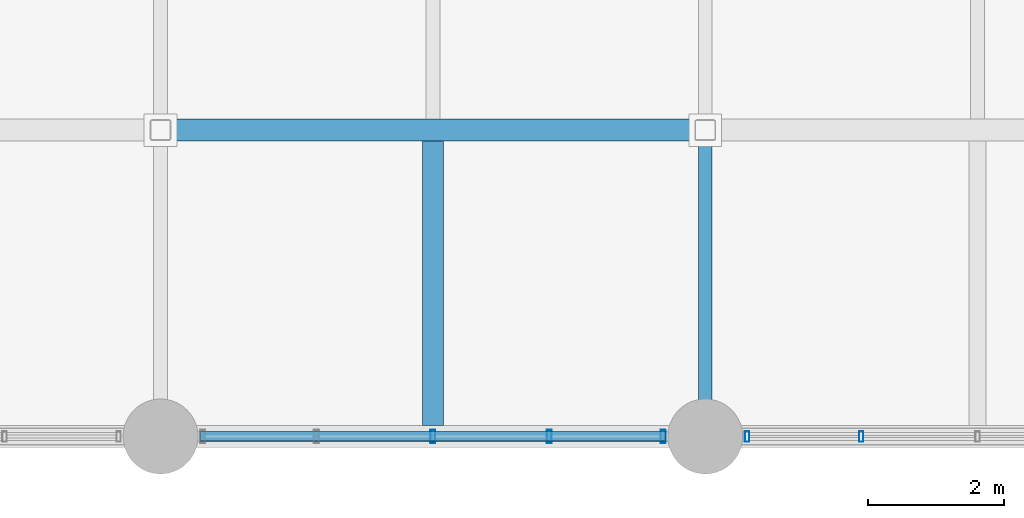
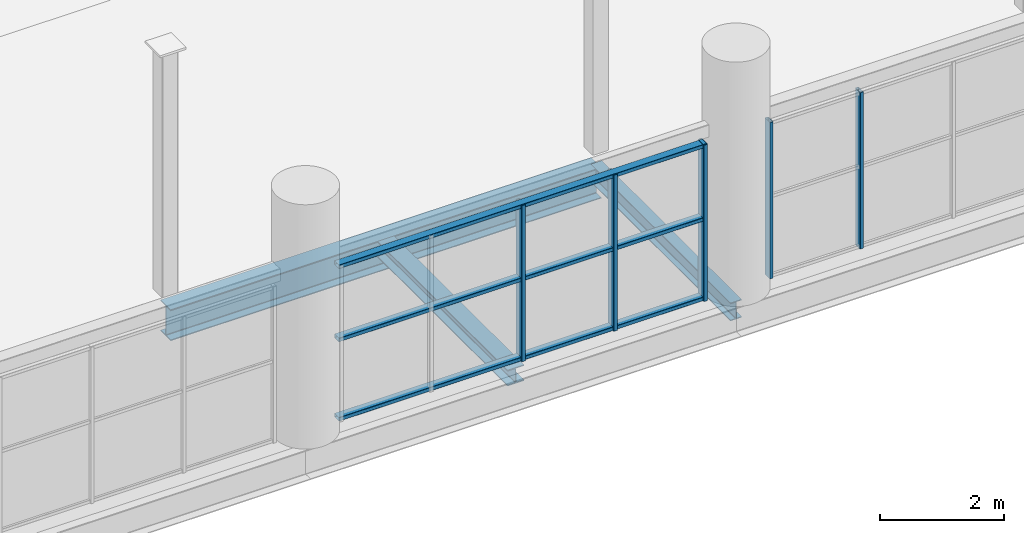
# One storey, part 32 of 114: 8 members, 3 beams, 2 elements without a shape of their own.
"""IFC4 building model written with IfcOpenShell, lengths in metres."""

import ifcopenshell
import ifcopenshell.guid

model = None  # the IFC model being written
_history = None  # IfcOwnerHistory: only IFC2X3 demands one
_inside = {}  # id of a spatial element -> (the spatial element, [elements in it])
_under = {}  # id of a project, library or spatial element -> (it, [spatial elements below it])
_declared = {}  # id of a project -> (the project, [libraries it declares])
_typed = {}  # id of a type object -> (the type object, [elements of that type])
_made_of = {}  # id of a material, layer set ... -> (it, [elements and type objects made of it])


def new_model(schema):
    """Start an empty IFC model of exactly this schema.

    Asked for "IFC4X3", IfcOpenShell would pick the latest addendum, in which some entities
    have other attributes; the version numbers below select the first issue.
    IFC2X3 requires an IfcOwnerHistory on every rooted entity: one is made here for all.
    """
    global model, _history
    if schema == "IFC4X3":
        model = ifcopenshell.file(schema_version=(4, 3, 0, 0))
    else:
        model = ifcopenshell.file(schema=schema)
    _inside.clear()
    _under.clear()
    _declared.clear()
    _typed.clear()
    _made_of.clear()
    _history = None
    if model.schema == "IFC2X3":
        org = make("IfcOrganization", Name="unknown")
        user = make(
            "IfcPersonAndOrganization",
            ThePerson=make("IfcPerson", FamilyName="unknown"),
            TheOrganization=org,
        )
        app = make(
            "IfcApplication",
            ApplicationDeveloper=org,
            Version="unknown",
            ApplicationFullName="unknown",
            ApplicationIdentifier="unknown",
        )
        _history = make(
            "IfcOwnerHistory",
            OwningUser=user,
            OwningApplication=app,
            ChangeAction="ADDED",
            CreationDate=0,
        )
    return model


def make(cls, **values):
    """One entity of the class cls with the attributes given. An attribute that is None is left unset."""
    return model.create_entity(
        cls, **{name: value for name, value in values.items() if value is not None}
    )


def rooted(cls, **values):
    """An entity with a GlobalId (a new one), such as an element, a storey or a relation."""
    return make(cls, GlobalId=ifcopenshell.guid.new(), OwnerHistory=_history, **values)


def si_unit(unit_type, name, prefix=None):
    """IfcSIUnit, for example si_unit("LENGTHUNIT", "METRE", prefix="MILLI")."""
    return make("IfcSIUnit", UnitType=unit_type, Prefix=prefix, Name=name)


def assignment(units):
    """IfcUnitAssignment: the units of a project."""
    return None if units is None else make("IfcUnitAssignment", Units=units)


def point(xyz):
    """IfcCartesianPoint."""
    return None if xyz is None else make("IfcCartesianPoint", Coordinates=xyz)


def direction(xyz):
    """IfcDirection."""
    return None if xyz is None else make("IfcDirection", DirectionRatios=xyz)


def frame(location, z_axis=None, x_axis=None):
    """IfcAxis2Placement3D, a coordinate frame: its origin and axes. An axis left out is left unset."""
    return make(
        "IfcAxis2Placement3D",
        Location=point(location),
        Axis=direction(z_axis),
        RefDirection=direction(x_axis),
    )


def frame_2d(location, x_axis=None):
    """IfcAxis2Placement2D, a coordinate frame in the plane: its origin and x axis."""
    return make(
        "IfcAxis2Placement2D", Location=point(location), RefDirection=direction(x_axis)
    )


def origin():
    """The frame at (0, 0, 0) with its axes left unset."""
    return frame((0.0, 0.0, 0.0))


def origin_2d():
    """The frame at (0, 0) in the plane with its x axis left unset."""
    return frame_2d((0.0, 0.0))


def place(relative_to, where):
    """IfcLocalPlacement: puts the frame where relative to a parent placement (None: the world)."""
    return make(
        "IfcLocalPlacement", PlacementRelTo=relative_to, RelativePlacement=where
    )


def context(
    kind, dimensions, precision=None, world=None, true_north=None, identifier=None
):
    """IfcGeometricRepresentationContext, for example the 3D "Model" context."""
    return make(
        "IfcGeometricRepresentationContext",
        ContextIdentifier=identifier,
        ContextType=kind,
        CoordinateSpaceDimension=dimensions,
        Precision=precision,
        WorldCoordinateSystem=world,
        TrueNorth=true_north,
    )


def subcontext(parent, identifier, kind, view, scale=None):
    """IfcGeometricRepresentationSubContext, for example "Body" below "Model"."""
    return make(
        "IfcGeometricRepresentationSubContext",
        ContextIdentifier=identifier,
        ContextType=kind,
        ParentContext=parent,
        TargetScale=scale,
        TargetView=view,
    )


def project(units=None, contexts=None):
    """IfcProject with its units and contexts."""
    return rooted(
        "IfcProject",
        Name="project",
        RepresentationContexts=contexts,
        UnitsInContext=assignment(units),
    )


def spatial(cls, under=None, at=None, **own):
    """A site, building, storey or space (cls), placed at a placement, below another one or the project."""
    s = rooted(cls, ObjectPlacement=at, **own)
    if under is not None:
        _under.setdefault(under.id(), (under, []))[1].append(s)
    return s


def profile(cls, at=None, kind="AREA", **sizes):
    """A parametric profile (cls). Its sizes go by their IFC names, for example OverallWidth=200.0."""
    return make(cls, ProfileType=kind, Position=at, **sizes)


def hollow_rectangle(**sizes):
    """IfcRectangleHollowProfileDef."""
    return profile("IfcRectangleHollowProfileDef", **sizes)


def i_section(**sizes):
    """IfcIShapeProfileDef."""
    return profile("IfcIShapeProfileDef", **sizes)


def extrude(swept, where, along, depth):
    """IfcExtrudedAreaSolid: the profile swept, set in the frame where, extruded along a direction by depth."""
    return make(
        "IfcExtrudedAreaSolid",
        SweptArea=swept,
        Position=where,
        ExtrudedDirection=direction(along),
        Depth=depth,
    )


def shape(context_of_items, identifier, shape_type, items):
    """IfcShapeRepresentation: the items that make up one representation, for example the "Body"."""
    return make(
        "IfcShapeRepresentation",
        ContextOfItems=context_of_items,
        RepresentationIdentifier=identifier,
        RepresentationType=shape_type,
        Items=items,
    )


def material(Name=None, Category=None):
    """IfcMaterial."""
    return make("IfcMaterial", Name=Name, Category=Category)


def material_profile(
    of_material, cross_section, Name=None, Category=None, Priority=None
):
    """IfcMaterialProfile: a cross section and its material."""
    return make(
        "IfcMaterialProfile",
        Name=Name,
        Material=of_material,
        Profile=cross_section,
        Priority=Priority,
        Category=Category,
    )


def profile_set(profiles, Name=None, composite=None):
    """IfcMaterialProfileSet."""
    return make(
        "IfcMaterialProfileSet",
        Name=Name,
        MaterialProfiles=profiles,
        CompositeProfile=composite,
    )


def made_of(thing, what):
    """Note that an element or type object is made of a material, layer set ...; save() writes the relation."""
    if what is not None:
        _made_of.setdefault(what.id(), (what, []))[1].append(thing)
    return thing


def type_object(cls, material=None, **own):
    """A type object (cls), such as IfcWallType, which elements share."""
    return made_of(rooted(cls, **own), material)


def element(
    cls,
    number,
    at=None,
    inside=None,
    cuts=None,
    type_object=None,
    material=None,
    context=None,
    identifier="Body",
    shape_type=None,
    held_by="IfcProductDefinitionShape",
    body=None,
    shapes=None,
    **own,
):
    """One element of the class cls, such as IfcWall. Its Tag is "e" and its number.

    at: its placement. inside: the storey or other place that contains it. cuts: it is an
    opening in that element (IfcRelVoidsElement). A single representation is given by context,
    identifier, shape_type and body (its items); several are given by shapes. held_by: the class
    of the entity that holds the representations. save() writes the other relations.
    """
    e = rooted(cls, Tag="e%d" % number, ObjectPlacement=at, **own)
    if body is not None:
        shapes = [shape(context, identifier, shape_type, body)]
    if shapes is not None:
        e.Representation = make(held_by, Representations=shapes)
    if inside is not None:
        _inside.setdefault(inside.id(), (inside, []))[1].append(e)
    if cuts is not None:
        rooted(
            "IfcRelVoidsElement", RelatingBuildingElement=cuts, RelatedOpeningElement=e
        )
    if type_object is not None:
        _typed.setdefault(type_object.id(), (type_object, []))[1].append(e)
    return made_of(e, material)


def aggregate(whole, parts):
    """IfcRelAggregates: a whole, such as a stair, and the parts it consists of."""
    return rooted("IfcRelAggregates", RelatingObject=whole, RelatedObjects=parts)


def save(model, path):
    """Write the relations noted so far, then the file.

    IfcRelAggregates (storeys below a building ...), IfcRelContainedInSpatialStructure (elements
    in a storey), IfcRelDefinesByType, IfcRelAssociatesMaterial and IfcRelDeclares: one each for
    every whole, place, type object, material and project.
    """
    for whole, parts in _under.values():
        aggregate(whole, parts)
    for where, things in _inside.values():
        rooted(
            "IfcRelContainedInSpatialStructure",
            RelatedElements=things,
            RelatingStructure=where,
        )
    for kind, things in _typed.values():
        rooted("IfcRelDefinesByType", RelatedObjects=things, RelatingType=kind)
    for what, things in _made_of.values():
        rooted("IfcRelAssociatesMaterial", RelatedObjects=things, RelatingMaterial=what)
    for by, libraries in _declared.values():
        rooted("IfcRelDeclares", RelatingContext=by, RelatedDefinitions=libraries)
    model.write(path)


model = new_model("IFC4")

# Units and contexts
model_context = context("Model", 3, precision=1e-05, world=origin(), true_north=direction((0.0, 1.0)))
body_context = subcontext(model_context, "Body", "Model", "MODEL_VIEW")
ifc_project = project(units=[si_unit("LENGTHUNIT", "METRE"), si_unit("AREAUNIT", "SQUARE_METRE"), si_unit("VOLUMEUNIT", "CUBIC_METRE"), si_unit("PLANEANGLEUNIT", "RADIAN"), si_unit("MASSUNIT", "GRAM", prefix="KILO")], contexts=[model_context])

# Site, building, storey
site_placement = place(None, origin())
site = spatial("IfcSite", under=ifc_project, at=site_placement, CompositionType="ELEMENT")
building_placement = place(site_placement, origin())
building = spatial("IfcBuilding", under=site, at=building_placement, Name="Verrall Gate Interchange", CompositionType="ELEMENT")
storey_placement = place(building_placement, frame((0.0, 0.0, 6.60009765625)))
storey = spatial("IfcBuildingStorey", under=building, at=storey_placement, Name="L02", CompositionType="ELEMENT", Elevation=6.60009765625)

# Beams
ifc_material_1 = material(Name="Structural Steel CSA G40.21 350WT Cat 4", Category="steel")
ifc_material_profile_1 = material_profile(ifc_material_1, i_section(OverallWidth=0.323974609375, OverallDepth=0.611083984375, WebThickness=0.0126953125, FlangeThickness=0.01904296875, FilletRadius=0.014892578125, at=origin_2d()), Name="W610x155")
ifc_profile_set_1 = profile_set([ifc_material_profile_1], Name="Structural Steel CSA G40.21 350WT Cat 4")
beam_type_1 = type_object("IfcBeamType", Name="B-08 Structural Beam W610x155", PredefinedType="BEAM", material=ifc_profile_set_1)
beam_1_placement = place(storey_placement, frame((92.0, 4.5, -0.585693359375), z_axis=(1.0, 0.0, 0.0), x_axis=(0.0, 1.0, 0.0)))
element("IfcBeam", 1, at=beam_1_placement, inside=storey, type_object=beam_type_1, Name="L02 Girder BM-L02-1464 (B-08)", PredefinedType="BEAM", context=body_context, shape_type="SweptSolid", body=[
    extrude(i_section(OverallWidth=0.323974609375, OverallDepth=0.611083984375, WebThickness=0.0126953125, FlangeThickness=0.01904296875, FilletRadius=0.014892578125, at=origin_2d()), origin(), (0.0, 0.0, 1.0), 8.0),
])
ifc_material_2 = material(Name="Structural Steel CSA G40.21 350W", Category="steel")
ifc_material_profile_2 = material_profile(ifc_material_2, i_section(OverallWidth=0.205078125, OverallDepth=0.35400390625, WebThickness=0.009521484375, FlangeThickness=0.016845703125, FilletRadius=0.012939453125, at=origin_2d()), Name="W360x79")
ifc_profile_set_2 = profile_set([ifc_material_profile_2], Name="Structural Steel CSA G40.21 350W")
beam_type_2 = type_object("IfcBeamType", Name="B-14 Structural Beam W360x79", PredefinedType="BEAM", material=ifc_profile_set_2)
beam_2_placement = place(storey_placement, frame((100.0, 0.0, -0.45703125), z_axis=(0.0, 1.0, 0.0), x_axis=(-1.0, 0.0, 0.0)))
element("IfcBeam", 2, at=beam_2_placement, inside=storey, type_object=beam_type_2, Name="L02 Girder BM-L02-1766 (B-14)", PredefinedType="BEAM", context=body_context, shape_type="SweptSolid", body=[
    extrude(i_section(OverallWidth=0.205078125, OverallDepth=0.35400390625, WebThickness=0.009521484375, FlangeThickness=0.016845703125, FilletRadius=0.012939453125, at=origin_2d()), origin(), (0.0, 0.0, 1.0), 4.5),
])

# Curtain wall, members
ifc_material_3 = material(Name="Thermally Broken Anodized Aluminium Curtain Wall Framing", Category="aluminium")
curtain_wall_type = type_object("IfcCurtainWallType", Name="CW-14 Unitized Curtain Wall 6836x3070", PredefinedType="NOTDEFINED", material=ifc_material_3)
curtain_wall_1_placement = place(storey_placement, origin())
curtain_wall_1 = element("IfcCurtainWall", 3, at=curtain_wall_1_placement, inside=storey, type_object=curtain_wall_type, Name="L02 Unitized Curtain Wall CW-L02-060", PredefinedType="NOTDEFINED")
ifc_material_4 = material(Name="Thermally Broken Anodized Aluminium Curtain Wall Framing", Category="aluminium")
ifc_material_profile_3 = material_profile(ifc_material_4, hollow_rectangle(XDim=0.06494140625, YDim=0.159912109375, WallThickness=0.00390625, InnerFilletRadius=0.00390625, OuterFilletRadius=0.008056640625, at=origin_2d()), Name="CWM160x65x4")
ifc_profile_set_3 = profile_set([ifc_material_profile_3], Name="Thermally Broken Anodized Aluminium Curtain Wall Framing")
member_type_1 = type_object("IfcMemberType", Name="CM-01 Curtain Mullion CWM160x65x4", PredefinedType="MULLION", material=ifc_profile_set_3)
member_1_placement = place(storey_placement, frame((100.614501953125, 0.0, 0.0), z_axis=(0.0, 0.0, 1.0), x_axis=(1.0, 0.0, 0.0)))
member_1 = element("IfcMember", 4, at=member_1_placement, type_object=member_type_1, Name="CW-L02-060 Mullion 1", PredefinedType="MULLION", context=body_context, shape_type="SweptSolid", body=[
    extrude(hollow_rectangle(XDim=0.06494140625, YDim=0.159912109375, WallThickness=0.00390625, InnerFilletRadius=0.00390625, OuterFilletRadius=0.008056640625, at=origin_2d()), origin(), (0.0, 0.0, 1.0), 3.06982421875),
])
member_2_placement = place(storey_placement, frame((102.291015625, 0.0, 0.0), z_axis=(0.0, 0.0, 1.0), x_axis=(1.0, 0.0, 0.0)))
member_2 = element("IfcMember", 5, at=member_2_placement, type_object=member_type_1, Name="CW-L02-060 Mullion 2", PredefinedType="MULLION", context=body_context, shape_type="SweptSolid", body=[
    extrude(hollow_rectangle(XDim=0.06494140625, YDim=0.159912109375, WallThickness=0.00390625, InnerFilletRadius=0.00390625, OuterFilletRadius=0.008056640625, at=origin_2d()), origin(), (0.0, 0.0, 1.0), 3.06982421875),
])
aggregate(curtain_wall_1, [member_1, member_2])

curtain_wall_2_placement = place(storey_placement, origin())
curtain_wall_2 = element("IfcCurtainWall", 6, at=curtain_wall_2_placement, inside=storey, type_object=curtain_wall_type, Name="L02 Unitized Curtain Wall CW-L02-059", PredefinedType="NOTDEFINED")
ifc_material_5 = material(Name="Thermally Broken Anodized Aluminium Curtain Wall Framing", Category="aluminium")
ifc_material_profile_4 = material_profile(ifc_material_5, hollow_rectangle(XDim=0.074951171875, YDim=0.199951171875, WallThickness=0.0048828125, InnerFilletRadius=0.0048828125, OuterFilletRadius=0.010009765625, at=origin_2d()), Name="CWM200x75x5")
ifc_profile_set_4 = profile_set([ifc_material_profile_4], Name="Thermally Broken Anodized Aluminium Curtain Wall Framing")
member_type_2 = type_object("IfcMemberType", Name="CM-02 Curtain Mullion CWM200x75x5", PredefinedType="MULLION", material=ifc_profile_set_4)
member_3_placement = place(storey_placement, frame((96.0, 0.0, 0.0), z_axis=(0.0, 0.0, 1.0), x_axis=(1.0, 0.0, 0.0)))
member_3 = element("IfcMember", 7, at=member_3_placement, type_object=member_type_2, Name="CW-L02-059 Mullion 3", PredefinedType="MULLION", context=body_context, shape_type="SweptSolid", body=[
    extrude(hollow_rectangle(XDim=0.074951171875, YDim=0.199951171875, WallThickness=0.0048828125, InnerFilletRadius=0.0048828125, OuterFilletRadius=0.010009765625, at=origin_2d()), origin(), (0.0, 0.0, 1.0), 3.06982421875),
])
member_4_placement = place(storey_placement, frame((97.708984375, 0.0, 0.0), z_axis=(0.0, 0.0, 1.0), x_axis=(1.0, 0.0, 0.0)))
member_4 = element("IfcMember", 8, at=member_4_placement, type_object=member_type_2, Name="CW-L02-059 Mullion 4", PredefinedType="MULLION", context=body_context, shape_type="SweptSolid", body=[
    extrude(hollow_rectangle(XDim=0.074951171875, YDim=0.199951171875, WallThickness=0.0048828125, InnerFilletRadius=0.0048828125, OuterFilletRadius=0.010009765625, at=origin_2d()), origin(), (0.0, 0.0, 1.0), 3.06982421875),
])
member_5_placement = place(storey_placement, frame((99.380615234375, 0.0, 0.0), z_axis=(0.0, 0.0, 1.0), x_axis=(1.0, 0.0, 0.0)))
member_5 = element("IfcMember", 9, at=member_5_placement, type_object=member_type_2, Name="CW-L02-059 Mullion 5", PredefinedType="MULLION", context=body_context, shape_type="SweptSolid", body=[
    extrude(hollow_rectangle(XDim=0.074951171875, YDim=0.199951171875, WallThickness=0.0048828125, InnerFilletRadius=0.0048828125, OuterFilletRadius=0.010009765625, at=origin_2d()), origin(), (0.0, 0.0, 1.0), 3.06982421875),
])
ifc_material_6 = material(Name="Thermally Broken Anodized Aluminium Curtain Wall Framing", Category="aluminium")
ifc_material_profile_5 = material_profile(ifc_material_6, hollow_rectangle(XDim=0.14990234375, YDim=0.074951171875, WallThickness=0.00439453125, InnerFilletRadius=0.00439453125, OuterFilletRadius=0.009033203125, at=origin_2d()), Name="CWT150x75x4.5")
ifc_profile_set_5 = profile_set([ifc_material_profile_5], Name="Thermally Broken Anodized Aluminium Curtain Wall Framing")
member_type_3 = type_object("IfcMemberType", Name="CT-02 Curtain Transom CWT150x75x4.5", PredefinedType="USERDEFINED", material=ifc_profile_set_5)
member_6_placement = place(storey_placement, frame((92.58203125, 0.0, 0.037353515625), z_axis=(1.0, 0.0, 0.0), x_axis=(0.0, 1.0, 0.0)))
member_6 = element("IfcMember", 10, at=member_6_placement, type_object=member_type_3, Name="CW-L02-059 Transom 1", ObjectType="TRANSOM", PredefinedType="USERDEFINED", context=body_context, shape_type="SweptSolid", body=[
    extrude(hollow_rectangle(XDim=0.14990234375, YDim=0.074951171875, WallThickness=0.00439453125, InnerFilletRadius=0.00439453125, OuterFilletRadius=0.009033203125, at=origin_2d()), origin(), (0.0, 0.0, 1.0), 6.8359375),
])
member_7_placement = place(storey_placement, frame((92.58203125, 0.0, 1.59619140625), z_axis=(1.0, 0.0, 0.0), x_axis=(0.0, 1.0, 0.0)))
member_7 = element("IfcMember", 11, at=member_7_placement, type_object=member_type_3, Name="CW-L02-059 Transom 2", ObjectType="TRANSOM", PredefinedType="USERDEFINED", context=body_context, shape_type="SweptSolid", body=[
    extrude(hollow_rectangle(XDim=0.14990234375, YDim=0.074951171875, WallThickness=0.00439453125, InnerFilletRadius=0.00439453125, OuterFilletRadius=0.009033203125, at=origin_2d()), origin(), (0.0, 0.0, 1.0), 6.8359375),
])
member_8_placement = place(storey_placement, frame((92.58203125, 0.0, 3.032470703125), z_axis=(1.0, 0.0, 0.0), x_axis=(0.0, 1.0, 0.0)))
member_8 = element("IfcMember", 12, at=member_8_placement, type_object=member_type_3, Name="CW-L02-059 Transom 3", ObjectType="TRANSOM", PredefinedType="USERDEFINED", context=body_context, shape_type="SweptSolid", body=[
    extrude(hollow_rectangle(XDim=0.14990234375, YDim=0.074951171875, WallThickness=0.00439453125, InnerFilletRadius=0.00439453125, OuterFilletRadius=0.009033203125, at=origin_2d()), origin(), (0.0, 0.0, 1.0), 6.8359375),
])
aggregate(curtain_wall_2, [member_3, member_4, member_5, member_6, member_7, member_8])

# Beam
ifc_material_7 = material(Name="Structural Steel CSA G40.21 350W", Category="steel")
ifc_material_profile_6 = material_profile(ifc_material_7, i_section(OverallWidth=0.306884765625, OverallDepth=0.31396484375, WebThickness=0.011962890625, FlangeThickness=0.018798828125, FilletRadius=0.013916015625, at=origin_2d()), Name="W310x118")
ifc_profile_set_6 = profile_set([ifc_material_profile_6], Name="Structural Steel CSA G40.21 350W")
beam_type_3 = type_object("IfcBeamType", Name="J-02 Floor Joist W310x118", PredefinedType="JOIST", material=ifc_profile_set_6)
beam_3_placement = place(storey_placement, frame((96.0, 0.162109375, -0.43701171875), z_axis=(0.0, 1.0, 0.0), x_axis=(-1.0, 0.0, 0.0)))
element("IfcBeam", 13, at=beam_3_placement, inside=storey, type_object=beam_type_3, Name="L02 Secondary Floor Joist JST-L02-1851", PredefinedType="JOIST", context=body_context, shape_type="SweptSolid", body=[
    extrude(i_section(OverallWidth=0.306884765625, OverallDepth=0.31396484375, WebThickness=0.011962890625, FlangeThickness=0.018798828125, FilletRadius=0.013916015625, at=origin_2d()), origin(), (0.0, 0.0, 1.0), 4.17578125),
])

save(model, "model.ifc")
